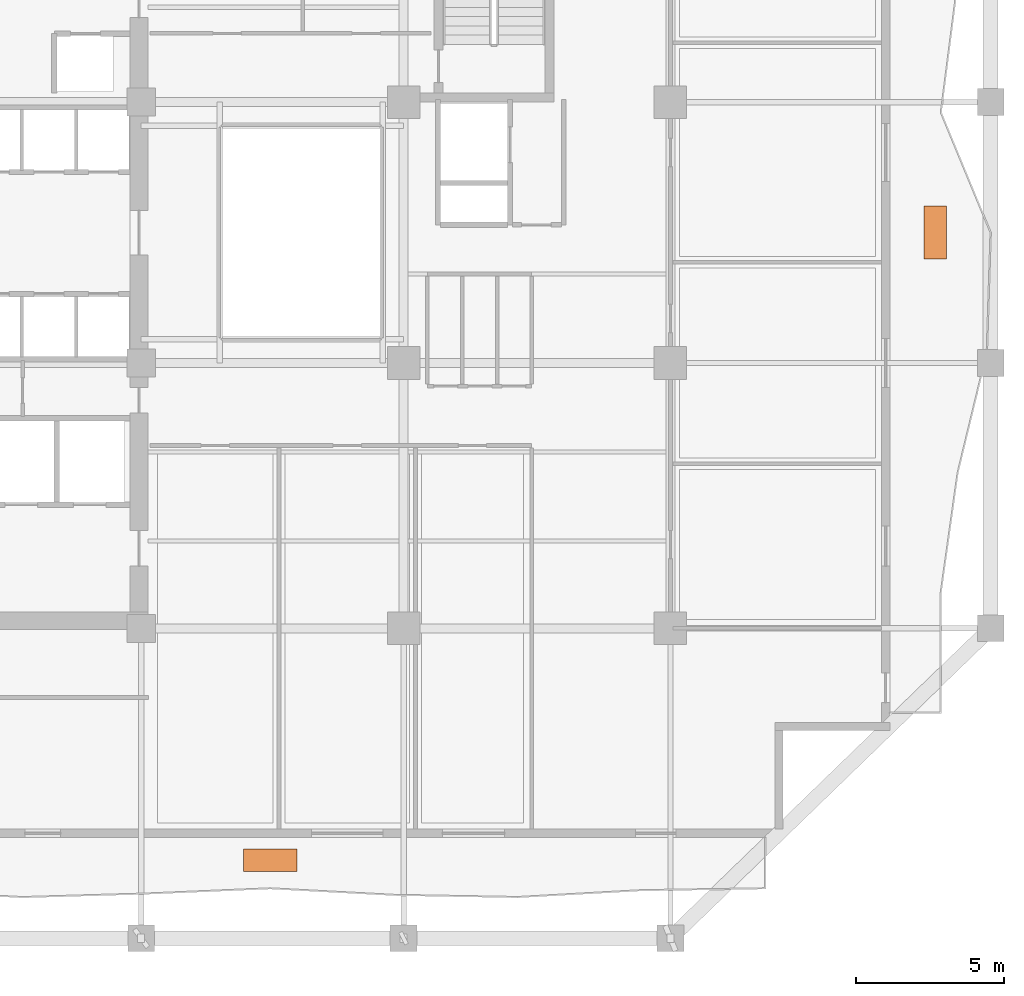
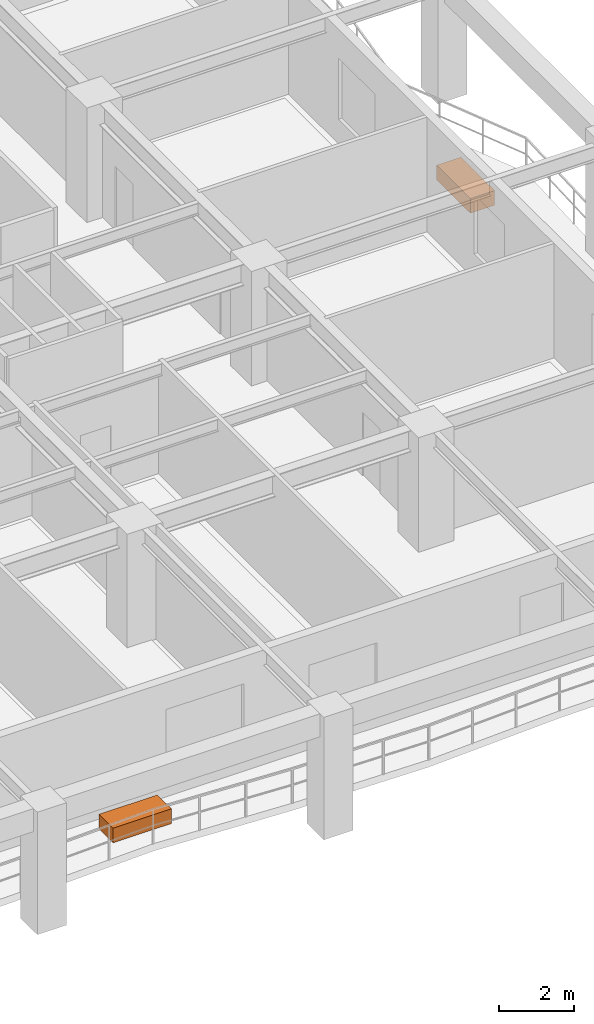
# One storey, part 11 of 11: 2 proxies.
"""IFC4 building model written with IfcOpenShell, lengths in metres."""

from ifc_helpers import new_model, si_unit, direction, frame, origin, origin_2d, place, context, subcontext, project, spatial, rectangle, extrude, material, type_object, element, save


model = new_model("IFC4")

# Units and contexts
model_context = context("Model", 3, precision=1e-05, world=origin(), true_north=direction((0.0, 1.0)))
body_context = subcontext(model_context, "Body", "Model", "MODEL_VIEW")
ifc_project = project(units=[si_unit("LENGTHUNIT", "METRE"), si_unit("AREAUNIT", "SQUARE_METRE"), si_unit("VOLUMEUNIT", "CUBIC_METRE"), si_unit("PLANEANGLEUNIT", "RADIAN"), si_unit("MASSUNIT", "GRAM", prefix="KILO")], contexts=[model_context])

# Site, building, storey
site_placement = place(None, origin())
site = spatial("IfcSite", under=ifc_project, at=site_placement, CompositionType="ELEMENT")
building_placement = place(site_placement, origin())
building = spatial("IfcBuilding", under=site, at=building_placement, Name="Kundavana Baori Tower", CompositionType="ELEMENT")
storey_placement = place(building_placement, frame((0.0, 0.0, 86.0)))
storey = spatial("IfcBuildingStorey", under=building, at=storey_placement, Name="L20", CompositionType="ELEMENT", Elevation=86.0)

# Proxies
ifc_material = material(Name="Red-Buff Dholpur Sandstone Cladding on Concrete C40/50", Category="masonry")
building_element_proxy_type = type_object("IfcBuildingElementProxyType", Name="PRX-PLANTER-1800", PredefinedType="USERDEFINED", material=ifc_material)
for number, where, z_axis, x_axis, name in (
    (1, (29.300048828125, 7.426025390625, 0.0), (0.0, 0.0, 1.0), (1.0, 0.0, 0.0), "L20 Dholpur Stone Structural Tree Planter S"),
    (2, (51.72998046875, 28.60009765625, 0.0), (0.0, 0.0, 1.0), (0.0, 1.0, 0.0), "L20 Dholpur Stone Structural Tree Planter E"),
):
    element("IfcBuildingElementProxy", number, at=place(storey_placement, frame(where, z_axis=z_axis, x_axis=x_axis)), inside=storey, type_object=building_element_proxy_type, Name=name, ObjectType="PLANTER", PredefinedType="USERDEFINED", context=body_context, shape_type="SweptSolid", body=[
        extrude(rectangle(XDim=1.800048828125, YDim=0.75, at=origin_2d()), origin(), (0.0, 0.0, 1.0), 0.47998046875),
    ])

save(model, "model.ifc")
